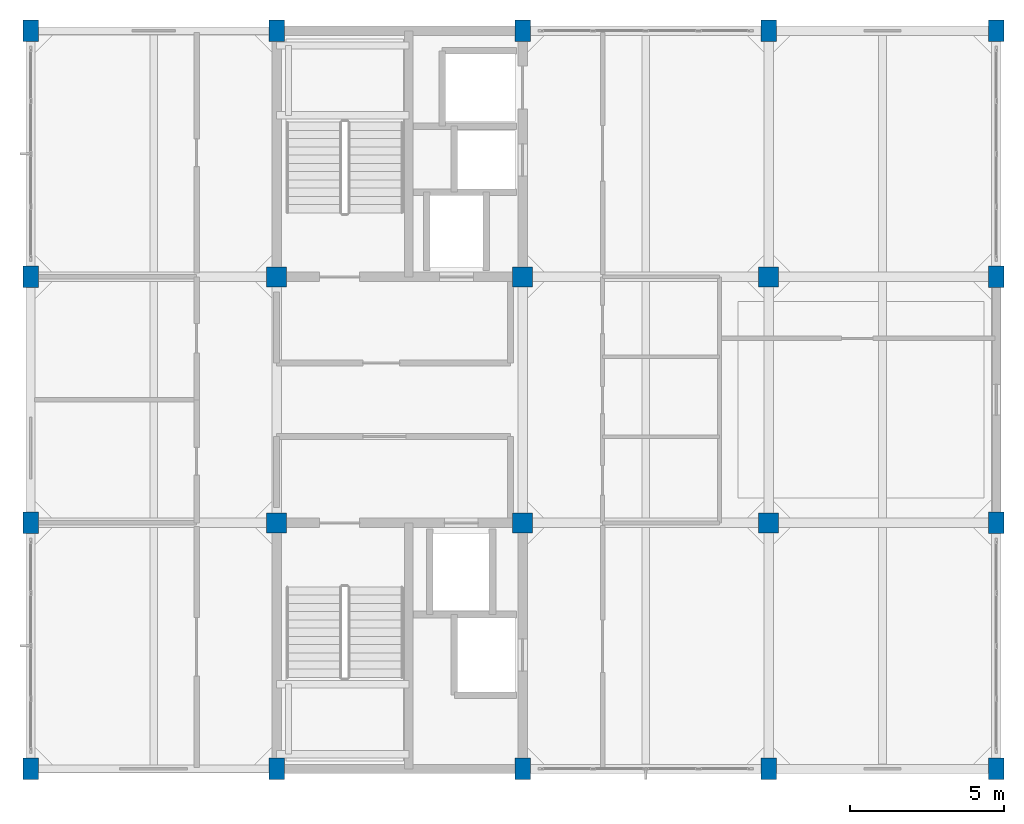
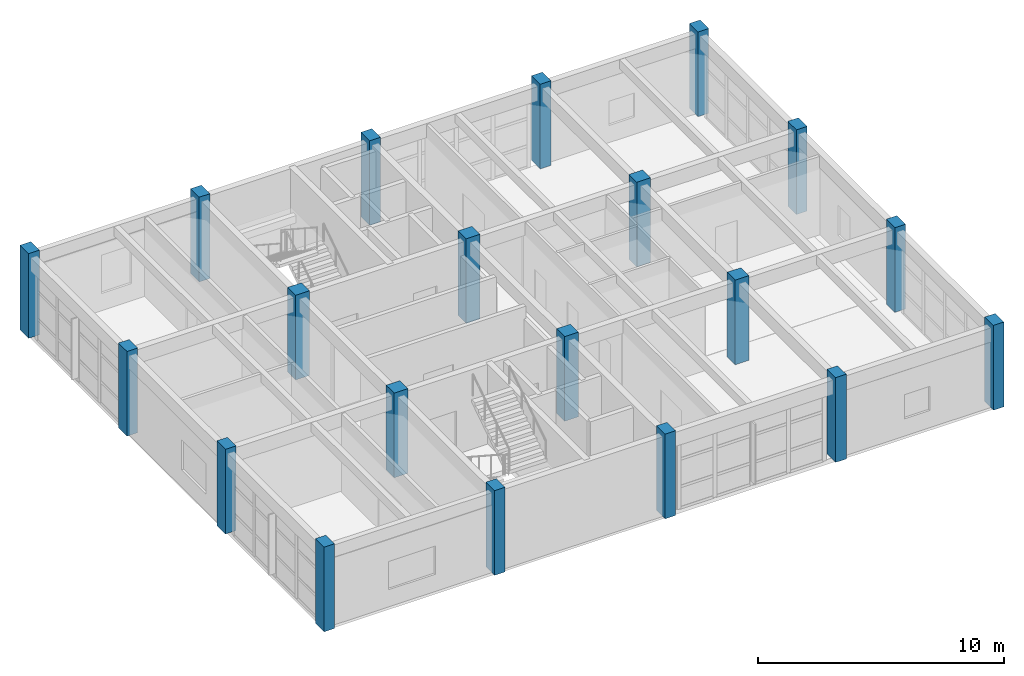
# One storey, part 1 of 16: 20 columns.
"""IFC4 building model written with IfcOpenShell, lengths in metres."""

from ifc_helpers import new_model, si_unit, direction, frame, origin, origin_2d, place, context, subcontext, project, spatial, rectangle, extrude, material, material_profile, profile_set, type_object, element, save


model = new_model("IFC4")

# Units and contexts
model_context = context("Model", 3, precision=1e-05, world=origin(), true_north=direction((0.0, 1.0)))
body_context = subcontext(model_context, "Body", "Model", "MODEL_VIEW")
ifc_project = project(units=[si_unit("LENGTHUNIT", "METRE"), si_unit("AREAUNIT", "SQUARE_METRE"), si_unit("VOLUMEUNIT", "CUBIC_METRE"), si_unit("PLANEANGLEUNIT", "RADIAN"), si_unit("MASSUNIT", "GRAM", prefix="KILO")], contexts=[model_context])

# Site, building, storey
site_placement = place(None, origin())
site = spatial("IfcSite", under=ifc_project, at=site_placement, CompositionType="ELEMENT")
building_placement = place(site_placement, origin())
building = spatial("IfcBuilding", under=site, at=building_placement, Name="Canggui Botanical Conservatory", CompositionType="ELEMENT")
storey_placement = place(building_placement, frame((0.0, 0.0, 65.39990234375)))
storey = spatial("IfcBuildingStorey", under=building, at=storey_placement, Name="L16", CompositionType="ELEMENT", Elevation=65.39990234375)

# Columns
ifc_material = material(Name="Concrete C35", Category="concrete")
ifc_material_profile_1 = material_profile(ifc_material, rectangle(XDim=0.64990234375, YDim=0.64990234375, at=origin_2d()), Name="RC 650x650")
ifc_profile_set_1 = profile_set([ifc_material_profile_1], Name="Concrete C35")
column_type_1 = type_object("IfcColumnType", Name="COL-KZ10", PredefinedType="COLUMN", material=ifc_profile_set_1)
for number, where, z_axis, x_axis, name in (
    (1, (154.0, 50.0, 0.0), (0.0, 0.0, 1.0), (1.0, 0.0, 0.0), "Tower RC Column L16 (154,50)"),
    (2, (154.0, 58.0, 0.0), (0.0, 0.0, 1.0), (1.0, 0.0, 0.0), "Tower RC Column L16 (154,58)"),
    (3, (162.0, 50.0, 0.0), (0.0, 0.0, 1.0), (1.0, 0.0, 0.0), "Tower RC Column L16 (162,50)"),
    (4, (162.0, 58.0, 0.0), (0.0, 0.0, 1.0), (1.0, 0.0, 0.0), "Tower RC Column L16 (162,58)"),
    (5, (170.0, 50.0, 0.0), (0.0, 0.0, 1.0), (1.0, 0.0, 0.0), "Tower RC Column L16 (170,50)"),
    (6, (170.0, 58.0, 0.0), (0.0, 0.0, 1.0), (1.0, 0.0, 0.0), "Tower RC Column L16 (170,58)"),
):
    element("IfcColumn", number, at=place(storey_placement, frame(where, z_axis=z_axis, x_axis=x_axis)), inside=storey, type_object=column_type_1, Name=name, PredefinedType="COLUMN", context=body_context, shape_type="SweptSolid", body=[
        extrude(rectangle(XDim=0.64990234375, YDim=0.64990234375, at=origin_2d()), origin(), (0.0, 0.0, 1.0), 4.2001953125),
    ])
ifc_material_profile_2 = material_profile(ifc_material, rectangle(XDim=0.5, YDim=0.699951171875, at=origin_2d()), Name="RC 500x700")
ifc_profile_set_2 = profile_set([ifc_material_profile_2], Name="Concrete C35")
column_type_2 = type_object("IfcColumnType", Name="COL-KZ18", PredefinedType="COLUMN", material=ifc_profile_set_2)
for number, where, z_axis, x_axis, name in (
    (7, (146.0, 42.0, 0.0), (0.0, 0.0, 1.0), (1.0, 0.0, 0.0), "Tower RC Column L16 (146,42)"),
    (8, (146.0, 50.0, 0.0), (0.0, 0.0, 1.0), (1.0, 0.0, 0.0), "Tower RC Column L16 (146,50)"),
    (9, (146.0, 58.0, 0.0), (0.0, 0.0, 1.0), (1.0, 0.0, 0.0), "Tower RC Column L16 (146,58)"),
    (10, (146.0, 66.0, 0.0), (0.0, 0.0, 1.0), (1.0, 0.0, 0.0), "Tower RC Column L16 (146,66)"),
    (11, (154.0, 42.0, 0.0), (0.0, 0.0, 1.0), (1.0, 0.0, 0.0), "Tower RC Column L16 (154,42)"),
    (12, (154.0, 66.0, 0.0), (0.0, 0.0, 1.0), (1.0, 0.0, 0.0), "Tower RC Column L16 (154,66)"),
    (13, (162.0, 42.0, 0.0), (0.0, 0.0, 1.0), (1.0, 0.0, 0.0), "Tower RC Column L16 (162,42)"),
    (14, (162.0, 66.0, 0.0), (0.0, 0.0, 1.0), (1.0, 0.0, 0.0), "Tower RC Column L16 (162,66)"),
    (15, (170.0, 42.0, 0.0), (0.0, 0.0, 1.0), (1.0, 0.0, 0.0), "Tower RC Column L16 (170,42)"),
    (16, (170.0, 66.0, 0.0), (0.0, 0.0, 1.0), (1.0, 0.0, 0.0), "Tower RC Column L16 (170,66)"),
    (17, (177.39990234375, 42.0, 0.0), (0.0, 0.0, 1.0), (1.0, 0.0, 0.0), "Tower RC Column L16 (178,42)"),
    (18, (177.39990234375, 50.0, 0.0), (0.0, 0.0, 1.0), (1.0, 0.0, 0.0), "Tower RC Column L16 (178,50)"),
    (19, (177.39990234375, 58.0, 0.0), (0.0, 0.0, 1.0), (1.0, 0.0, 0.0), "Tower RC Column L16 (178,58)"),
    (20, (177.39990234375, 66.0, 0.0), (0.0, 0.0, 1.0), (1.0, 0.0, 0.0), "Tower RC Column L16 (178,66)"),
):
    element("IfcColumn", number, at=place(storey_placement, frame(where, z_axis=z_axis, x_axis=x_axis)), inside=storey, type_object=column_type_2, Name=name, PredefinedType="COLUMN", context=body_context, shape_type="SweptSolid", body=[
        extrude(rectangle(XDim=0.5, YDim=0.699951171875, at=origin_2d()), origin(), (0.0, 0.0, 1.0), 4.2001953125),
    ])

save(model, "model.ifc")
